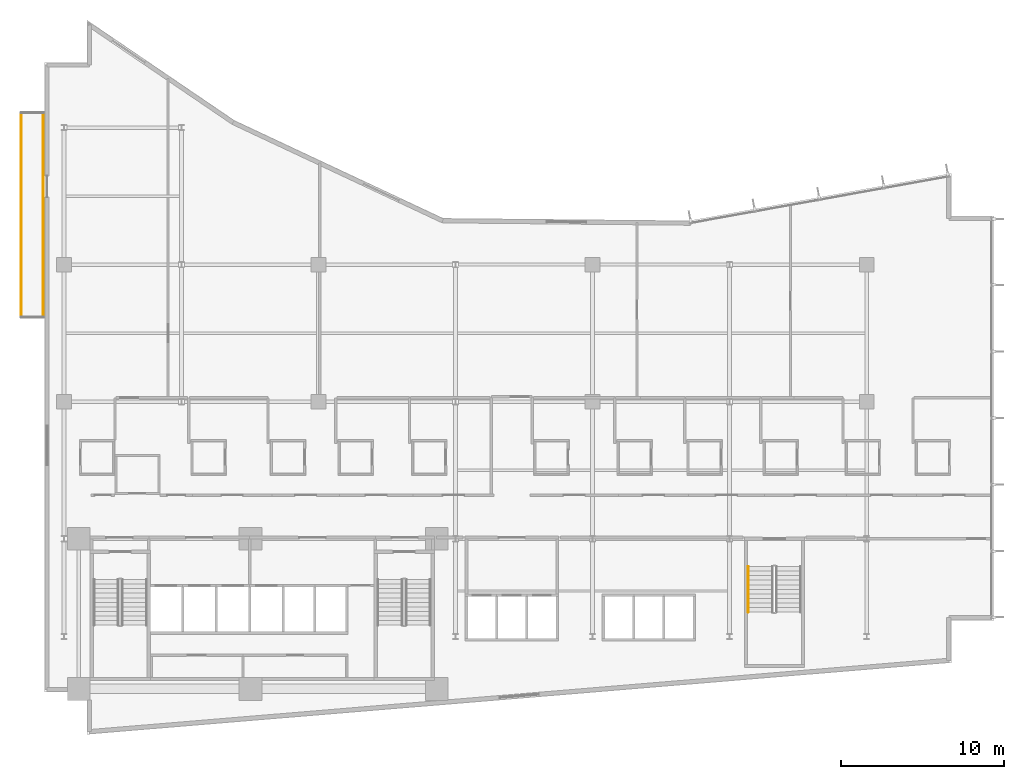
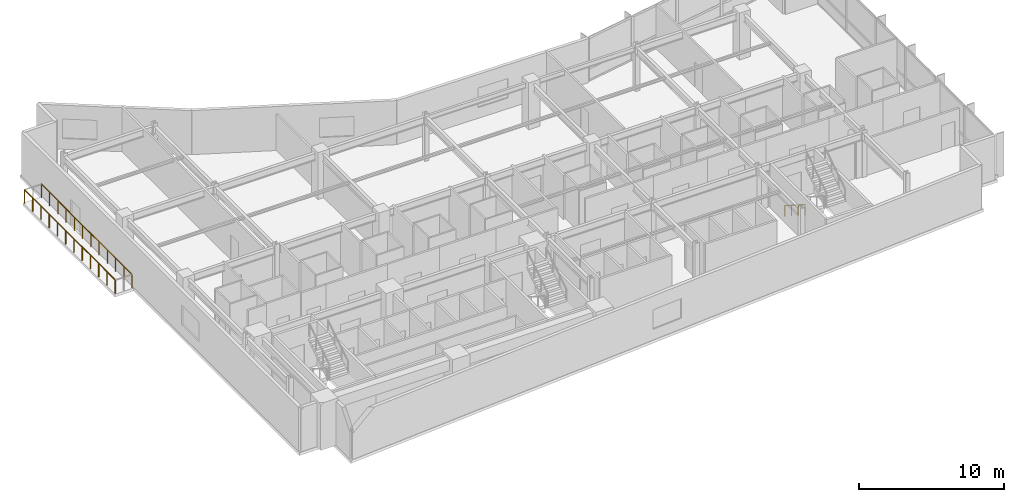
# One storey, part 18 of 21: 3 railings.
"""IFC4 building model written with IfcOpenShell, lengths in metres."""

from ifc_helpers import new_model, si_unit, direction, frame, origin, origin_2d, place, context, subcontext, project, spatial, circle, extrude, material, type_object, element, save


model = new_model("IFC4")

# Units and contexts
model_context = context("Model", 3, precision=1e-05, world=origin(), true_north=direction((0.0, 1.0)))
body_context = subcontext(model_context, "Body", "Model", "MODEL_VIEW")
ifc_project = project(units=[si_unit("LENGTHUNIT", "METRE"), si_unit("AREAUNIT", "SQUARE_METRE"), si_unit("VOLUMEUNIT", "CUBIC_METRE"), si_unit("PLANEANGLEUNIT", "RADIAN"), si_unit("MASSUNIT", "GRAM", prefix="KILO")], contexts=[model_context])

# Site, building, storey
site_placement = place(None, origin())
site = spatial("IfcSite", under=ifc_project, at=site_placement, CompositionType="ELEMENT")
building_placement = place(site_placement, origin())
building = spatial("IfcBuilding", under=site, at=building_placement, Name="Varnakote Quay Hospital", CompositionType="ELEMENT")
storey_placement = place(building_placement, frame((0.0, 0.0, 34.35009765625)))
storey = spatial("IfcBuildingStorey", under=building, at=storey_placement, Name="L08", CompositionType="ELEMENT", Elevation=34.35009765625)

# Railings
ifc_material_1 = material(Name="Anodised aluminium 6063-T6 Bronze", Category="aluminium")
railing_type_1 = type_object("IfcRailingType", Name="RLG-EXT-GUARD-1150", PredefinedType="GUARDRAIL", material=ifc_material_1)
railing_1_placement = place(storey_placement, frame((-1.419921875, 25.580078125, 0.0)))
element("IfcRailing", 1, at=railing_1_placement, inside=storey, type_object=railing_type_1, Name="L08 Zigzag Prow Healing Terrace Safety Guard", PredefinedType="GUARDRAIL", context=body_context, shape_type="SweptSolid", body=[
    extrude(circle(Radius=0.02392578125, at=origin_2d()), frame((0.0, 0.0, 1.1259765625), z_axis=(0.0, 1.0, 0.0), x_axis=(-1.0, 0.0, 0.0)), (0.0, 0.0, 1.0), 12.5400390625),
    extrude(circle(Radius=0.02099609375, at=origin_2d()), origin(), (0.0, 0.0, 1.0), 1.101806640625),
    extrude(circle(Radius=0.02099609375, at=origin_2d()), frame((0.0, 1.139892578125, 0.0)), (0.0, 0.0, 1.0), 1.101806640625),
    extrude(circle(Radius=0.02099609375, at=origin_2d()), frame((0.0, 2.280029296875, 0.0)), (0.0, 0.0, 1.0), 1.101806640625),
    extrude(circle(Radius=0.02099609375, at=origin_2d()), frame((0.0, 3.419921875, 0.0)), (0.0, 0.0, 1.0), 1.101806640625),
    extrude(circle(Radius=0.02099609375, at=origin_2d()), frame((0.0, 4.56005859375, 0.0)), (0.0, 0.0, 1.0), 1.101806640625),
    extrude(circle(Radius=0.02099609375, at=origin_2d()), frame((0.0, 5.699951171875, 0.0)), (0.0, 0.0, 1.0), 1.101806640625),
    extrude(circle(Radius=0.02099609375, at=origin_2d()), frame((0.0, 6.840087890625, 0.0)), (0.0, 0.0, 1.0), 1.101806640625),
    extrude(circle(Radius=0.02099609375, at=origin_2d()), frame((0.0, 7.97998046875, 0.0)), (0.0, 0.0, 1.0), 1.101806640625),
    extrude(circle(Radius=0.02099609375, at=origin_2d()), frame((0.0, 9.1201171875, 0.0)), (0.0, 0.0, 1.0), 1.101806640625),
    extrude(circle(Radius=0.02099609375, at=origin_2d()), frame((0.0, 10.260009765625, 0.0)), (0.0, 0.0, 1.0), 1.101806640625),
    extrude(circle(Radius=0.02099609375, at=origin_2d()), frame((0.0, 11.400146484375, 0.0)), (0.0, 0.0, 1.0), 1.101806640625),
    extrude(circle(Radius=0.02099609375, at=origin_2d()), frame((0.0, 12.5400390625, 0.0)), (0.0, 0.0, 1.0), 1.101806640625),
])
railing_2_placement = place(storey_placement, frame((-0.075927734375, 38.1201171875, 0.0)))
element("IfcRailing", 2, at=railing_2_placement, inside=storey, type_object=railing_type_1, Name="L08 Zigzag Prow Healing Terrace Safety Guard", PredefinedType="GUARDRAIL", context=body_context, shape_type="SweptSolid", body=[
    extrude(circle(Radius=0.02392578125, at=origin_2d()), frame((0.0, 0.0, 1.1259765625), z_axis=(0.0, -1.0, 0.0), x_axis=(1.0, 0.0, 0.0)), (0.0, 0.0, 1.0), 12.5400390625),
    extrude(circle(Radius=0.02099609375, at=origin_2d()), origin(), (0.0, 0.0, 1.0), 1.101806640625),
    extrude(circle(Radius=0.02099609375, at=origin_2d()), frame((0.0, -1.139892578125, 0.0)), (0.0, 0.0, 1.0), 1.101806640625),
    extrude(circle(Radius=0.02099609375, at=origin_2d()), frame((0.0, -2.280029296875, 0.0)), (0.0, 0.0, 1.0), 1.101806640625),
    extrude(circle(Radius=0.02099609375, at=origin_2d()), frame((0.0, -3.419921875, 0.0)), (0.0, 0.0, 1.0), 1.101806640625),
    extrude(circle(Radius=0.02099609375, at=origin_2d()), frame((0.0, -4.56005859375, 0.0)), (0.0, 0.0, 1.0), 1.101806640625),
    extrude(circle(Radius=0.02099609375, at=origin_2d()), frame((0.0, -5.699951171875, 0.0)), (0.0, 0.0, 1.0), 1.101806640625),
    extrude(circle(Radius=0.02099609375, at=origin_2d()), frame((0.0, -6.840087890625, 0.0)), (0.0, 0.0, 1.0), 1.101806640625),
    extrude(circle(Radius=0.02099609375, at=origin_2d()), frame((0.0, -7.97998046875, 0.0)), (0.0, 0.0, 1.0), 1.101806640625),
    extrude(circle(Radius=0.02099609375, at=origin_2d()), frame((0.0, -9.1201171875, 0.0)), (0.0, 0.0, 1.0), 1.101806640625),
    extrude(circle(Radius=0.02099609375, at=origin_2d()), frame((0.0, -10.260009765625, 0.0)), (0.0, 0.0, 1.0), 1.101806640625),
    extrude(circle(Radius=0.02099609375, at=origin_2d()), frame((0.0, -11.400146484375, 0.0)), (0.0, 0.0, 1.0), 1.101806640625),
    extrude(circle(Radius=0.02099609375, at=origin_2d()), frame((0.0, -12.5400390625, 0.0)), (0.0, 0.0, 1.0), 1.101806640625),
])
ifc_material_2 = material(Name="Brushed stainless steel handrail", Category="steel")
railing_type_2 = type_object("IfcRailingType", Name="RLG-STAIR-HND-920", PredefinedType="HANDRAIL", material=ifc_material_2)
railing_3_placement = place(storey_placement, frame((43.14990234375, 10.300048828125, 0.179443359375)))
element("IfcRailing", 3, at=railing_3_placement, inside=storey, type_object=railing_type_2, Name="L08 ST-03 stair handrail 1", PredefinedType="HANDRAIL", context=body_context, shape_type="SweptSolid", body=[
    extrude(circle(Radius=0.02392578125, at=origin_2d()), frame((0.0, 0.0, 0.8759765625), z_axis=(0.0, -0.841809871826, 0.539774156196), x_axis=(1.0, 0.0, 0.0)), (0.0, 0.0, 1.0), 3.326171875),
    extrude(circle(Radius=0.02099609375, at=origin_2d()), origin(), (0.0, 0.0, 1.0), 0.851806640625),
    extrude(circle(Radius=0.02099609375, at=origin_2d()), frame((0.0, -0.933349609375, 0.598388671875)), (0.0, 0.0, 1.0), 0.851806640625),
    extrude(circle(Radius=0.02099609375, at=origin_2d()), frame((0.0, -1.86669921875, 1.197021484375)), (0.0, 0.0, 1.0), 0.851806640625),
    extrude(circle(Radius=0.02099609375, at=origin_2d()), frame((0.0, -2.800048828125, 1.79541015625)), (0.0, 0.0, 1.0), 0.851806640625),
])

save(model, "model.ifc")
